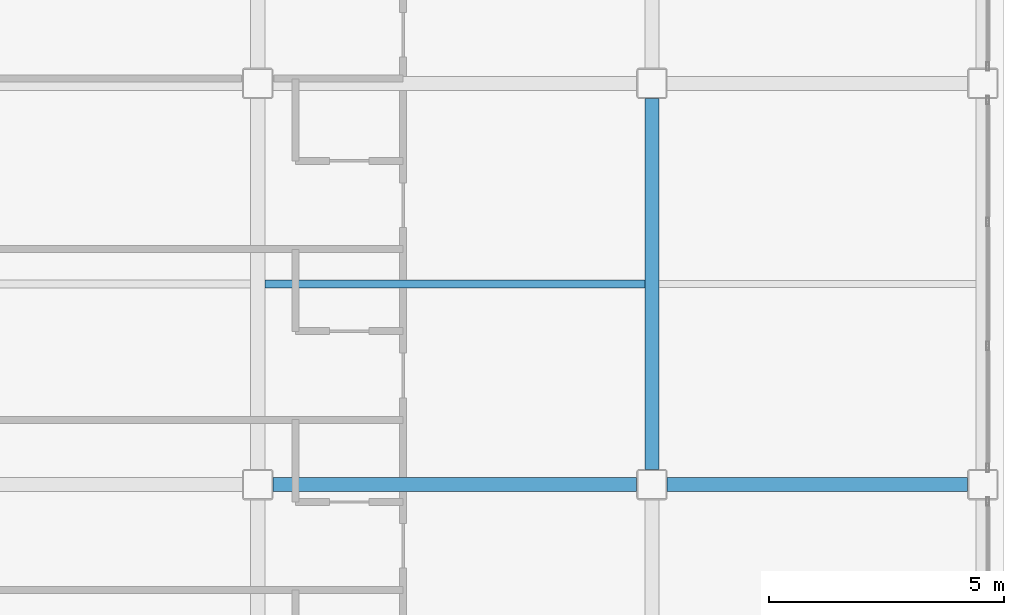
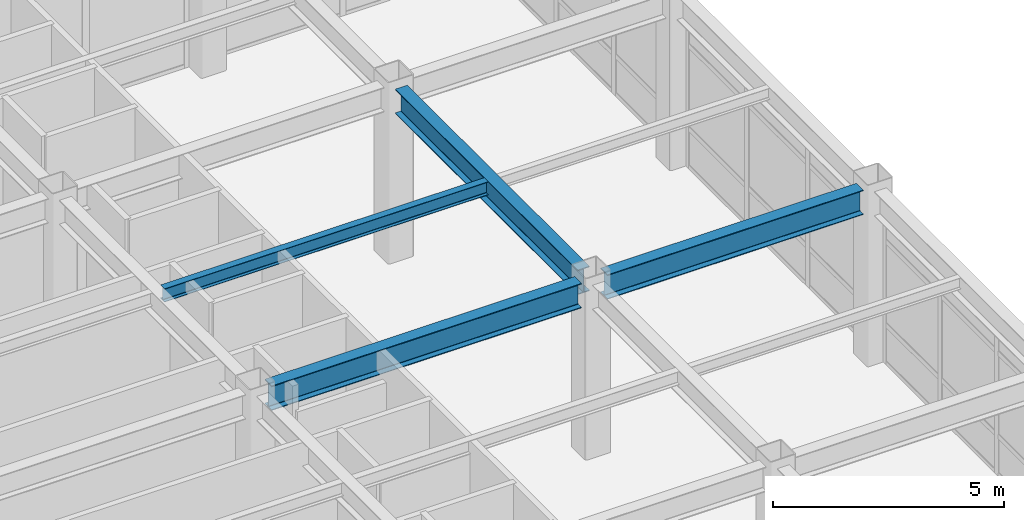
# One storey, part 38 of 61: 4 beams.
"""IFC4 building model written with IfcOpenShell, lengths in metres."""

from ifc_helpers import new_model, si_unit, direction, frame, origin, origin_2d, place, context, subcontext, project, spatial, i_section, extrude, material, material_profile, profile_set, type_object, element, save


model = new_model("IFC4")

# Units and contexts
model_context = context("Model", 3, precision=1e-05, world=origin(), true_north=direction((0.0, 1.0)))
body_context = subcontext(model_context, "Body", "Model", "MODEL_VIEW")
ifc_project = project(units=[si_unit("LENGTHUNIT", "METRE"), si_unit("AREAUNIT", "SQUARE_METRE"), si_unit("VOLUMEUNIT", "CUBIC_METRE"), si_unit("PLANEANGLEUNIT", "RADIAN"), si_unit("MASSUNIT", "GRAM", prefix="KILO")], contexts=[model_context])

# Site, building, storey
site_placement = place(None, origin())
site = spatial("IfcSite", under=ifc_project, at=site_placement, CompositionType="ELEMENT")
building_placement = place(site_placement, origin())
building = spatial("IfcBuilding", under=site, at=building_placement, Name="Kazehara Bluff Congress Hotel", CompositionType="ELEMENT")
storey_placement = place(building_placement, frame((0.0, 0.0, 19.800048828125)))
storey = spatial("IfcBuildingStorey", under=building, at=storey_placement, Name="L04", CompositionType="ELEMENT", Elevation=19.800048828125)

# Beams
ifc_material_1 = material(Name="Steel SN490B", Category="steel")
ifc_material_profile_1 = material_profile(ifc_material_1, i_section(OverallWidth=0.300048828125, OverallDepth=0.64990234375, WebThickness=0.011962890625, FlangeThickness=0.02001953125, FilletRadius=0.012939453125, at=origin_2d()))
ifc_profile_set_1 = profile_set([ifc_material_profile_1], Name="Steel SN490B")
beam_type_1 = type_object("IfcBeamType", Name="TP-G-03", PredefinedType="BEAM", material=ifc_profile_set_1)
beam_1_placement = place(storey_placement, frame((160.5, 97.22509765625, 4.2548828125), z_axis=(0.0, 1.0, 0.0), x_axis=(-1.0, 0.0, 0.0)))
element("IfcBeam", 1, at=beam_1_placement, inside=storey, type_object=beam_type_1, Name="L04 girder G-03 65", PredefinedType="BEAM", context=body_context, shape_type="SweptSolid", body=[
    extrude(i_section(OverallWidth=0.300048828125, OverallDepth=0.64990234375, WebThickness=0.011962890625, FlangeThickness=0.02001953125, FilletRadius=0.012939453125, at=origin_2d()), origin(), (0.0, 0.0, 1.0), 7.89990234375),
])
beam_2_placement = place(storey_placement, frame((152.425048828125, 96.89990234375, 4.2548828125), z_axis=(1.0, 0.0, 0.0), x_axis=(0.0, 1.0, 0.0)))
element("IfcBeam", 2, at=beam_2_placement, inside=storey, type_object=beam_type_1, Name="L04 girder G-03 111", PredefinedType="BEAM", context=body_context, shape_type="SweptSolid", body=[
    extrude(i_section(OverallWidth=0.300048828125, OverallDepth=0.64990234375, WebThickness=0.011962890625, FlangeThickness=0.02001953125, FilletRadius=0.012939453125, at=origin_2d()), origin(), (0.0, 0.0, 1.0), 7.75),
])
beam_3_placement = place(storey_placement, frame((160.824951171875, 96.89990234375, 4.2548828125), z_axis=(1.0, 0.0, 0.0), x_axis=(0.0, 1.0, 0.0)))
element("IfcBeam", 3, at=beam_3_placement, inside=storey, type_object=beam_type_1, Name="L04 girder G-03 112", PredefinedType="BEAM", context=body_context, shape_type="SweptSolid", body=[
    extrude(i_section(OverallWidth=0.300048828125, OverallDepth=0.64990234375, WebThickness=0.011962890625, FlangeThickness=0.02001953125, FilletRadius=0.012939453125, at=origin_2d()), origin(), (0.0, 0.0, 1.0), 6.400146484375),
])
ifc_material_2 = material(Name="Steel SN400B", Category="steel")
ifc_material_profile_2 = material_profile(ifc_material_2, i_section(OverallWidth=0.175048828125, OverallDepth=0.35009765625, WebThickness=0.007080078125, FlangeThickness=0.010986328125, FilletRadius=0.012939453125, at=origin_2d()))
ifc_profile_set_2 = profile_set([ifc_material_profile_2], Name="Steel SN400B")
beam_type_2 = type_object("IfcBeamType", Name="TP-J-02", PredefinedType="JOIST", material=ifc_profile_set_2)
beam_4_placement = place(storey_placement, frame((152.25, 101.175048828125, 4.405029296875), z_axis=(1.0, 0.0, 0.0), x_axis=(0.0, 1.0, 0.0)))
element("IfcBeam", 4, at=beam_4_placement, inside=storey, type_object=beam_type_2, Name="L04 secondary joist J-02 27", PredefinedType="JOIST", context=body_context, shape_type="SweptSolid", body=[
    extrude(i_section(OverallWidth=0.175048828125, OverallDepth=0.35009765625, WebThickness=0.007080078125, FlangeThickness=0.010986328125, FilletRadius=0.012939453125, at=origin_2d()), origin(), (0.0, 0.0, 1.0), 8.10009765625),
])

save(model, "model.ifc")
